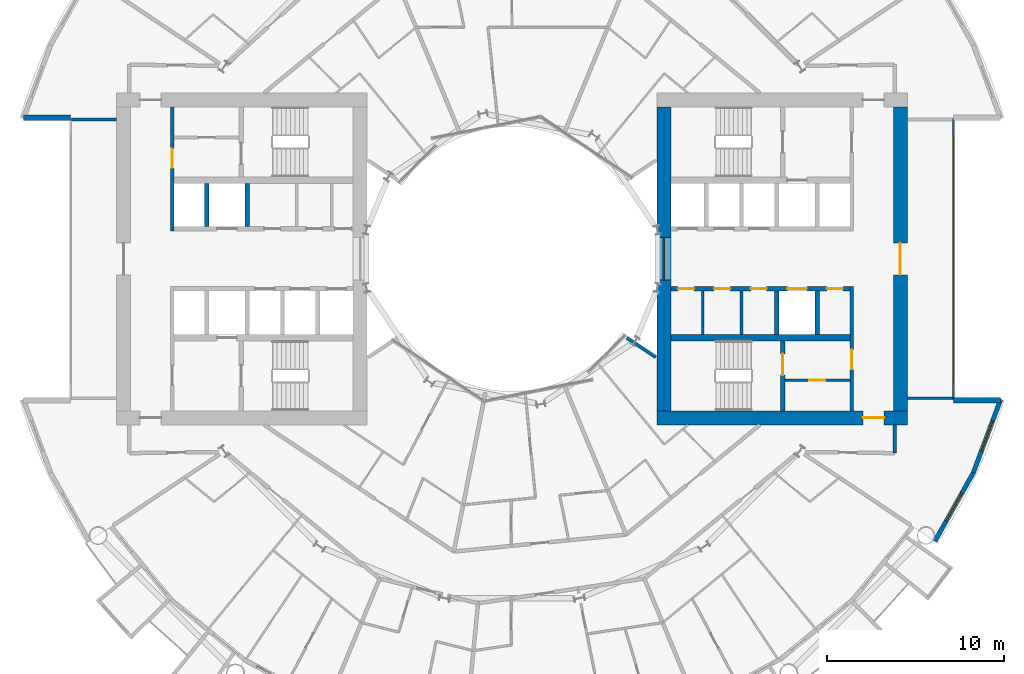
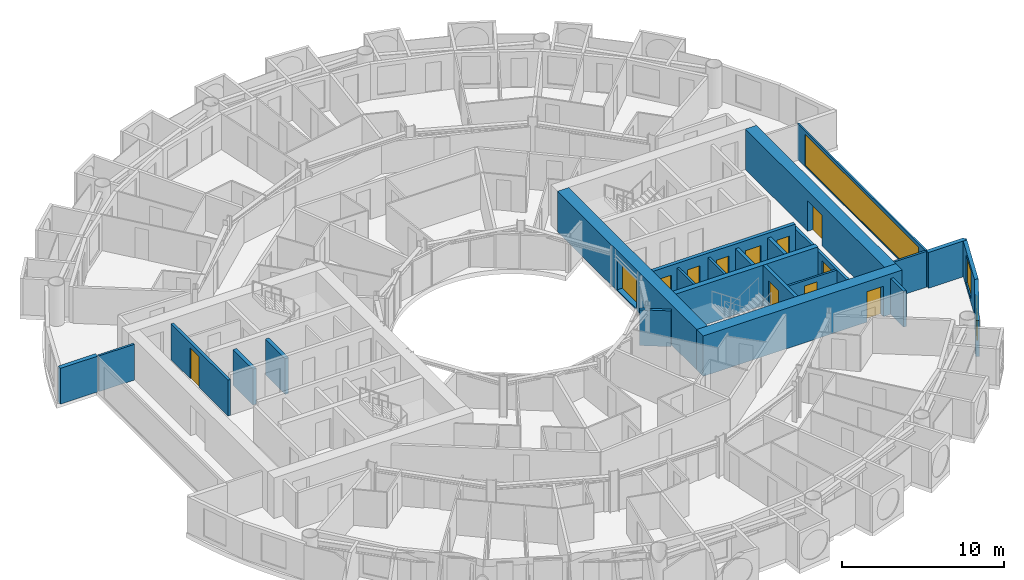
# One storey, part 17 of 26: 24 walls, 11 doors, 4 windows, 15 openings.
"""IFC4 building model written with IfcOpenShell, lengths in metres."""

import ifcopenshell
import ifcopenshell.guid

model = None  # the IFC model being written
_history = None  # IfcOwnerHistory: only IFC2X3 demands one
_inside = {}  # id of a spatial element -> (the spatial element, [elements in it])
_under = {}  # id of a project, library or spatial element -> (it, [spatial elements below it])
_declared = {}  # id of a project -> (the project, [libraries it declares])
_typed = {}  # id of a type object -> (the type object, [elements of that type])
_made_of = {}  # id of a material, layer set ... -> (it, [elements and type objects made of it])


def new_model(schema):
    """Start an empty IFC model of exactly this schema.

    Asked for "IFC4X3", IfcOpenShell would pick the latest addendum, in which some entities
    have other attributes; the version numbers below select the first issue.
    IFC2X3 requires an IfcOwnerHistory on every rooted entity: one is made here for all.
    """
    global model, _history
    if schema == "IFC4X3":
        model = ifcopenshell.file(schema_version=(4, 3, 0, 0))
    else:
        model = ifcopenshell.file(schema=schema)
    _inside.clear()
    _under.clear()
    _declared.clear()
    _typed.clear()
    _made_of.clear()
    _history = None
    if model.schema == "IFC2X3":
        org = make("IfcOrganization", Name="unknown")
        user = make(
            "IfcPersonAndOrganization",
            ThePerson=make("IfcPerson", FamilyName="unknown"),
            TheOrganization=org,
        )
        app = make(
            "IfcApplication",
            ApplicationDeveloper=org,
            Version="unknown",
            ApplicationFullName="unknown",
            ApplicationIdentifier="unknown",
        )
        _history = make(
            "IfcOwnerHistory",
            OwningUser=user,
            OwningApplication=app,
            ChangeAction="ADDED",
            CreationDate=0,
        )
    return model


def make(cls, **values):
    """One entity of the class cls with the attributes given. An attribute that is None is left unset."""
    return model.create_entity(
        cls, **{name: value for name, value in values.items() if value is not None}
    )


def rooted(cls, **values):
    """An entity with a GlobalId (a new one), such as an element, a storey or a relation."""
    return make(cls, GlobalId=ifcopenshell.guid.new(), OwnerHistory=_history, **values)


def si_unit(unit_type, name, prefix=None):
    """IfcSIUnit, for example si_unit("LENGTHUNIT", "METRE", prefix="MILLI")."""
    return make("IfcSIUnit", UnitType=unit_type, Prefix=prefix, Name=name)


def assignment(units):
    """IfcUnitAssignment: the units of a project."""
    return None if units is None else make("IfcUnitAssignment", Units=units)


def point(xyz):
    """IfcCartesianPoint."""
    return None if xyz is None else make("IfcCartesianPoint", Coordinates=xyz)


def direction(xyz):
    """IfcDirection."""
    return None if xyz is None else make("IfcDirection", DirectionRatios=xyz)


def frame(location, z_axis=None, x_axis=None):
    """IfcAxis2Placement3D, a coordinate frame: its origin and axes. An axis left out is left unset."""
    return make(
        "IfcAxis2Placement3D",
        Location=point(location),
        Axis=direction(z_axis),
        RefDirection=direction(x_axis),
    )


def frame_2d(location, x_axis=None):
    """IfcAxis2Placement2D, a coordinate frame in the plane: its origin and x axis."""
    return make(
        "IfcAxis2Placement2D", Location=point(location), RefDirection=direction(x_axis)
    )


def origin():
    """The frame at (0, 0, 0) with its axes left unset."""
    return frame((0.0, 0.0, 0.0))


def place(relative_to, where):
    """IfcLocalPlacement: puts the frame where relative to a parent placement (None: the world)."""
    return make(
        "IfcLocalPlacement", PlacementRelTo=relative_to, RelativePlacement=where
    )


def context(
    kind, dimensions, precision=None, world=None, true_north=None, identifier=None
):
    """IfcGeometricRepresentationContext, for example the 3D "Model" context."""
    return make(
        "IfcGeometricRepresentationContext",
        ContextIdentifier=identifier,
        ContextType=kind,
        CoordinateSpaceDimension=dimensions,
        Precision=precision,
        WorldCoordinateSystem=world,
        TrueNorth=true_north,
    )


def subcontext(parent, identifier, kind, view, scale=None):
    """IfcGeometricRepresentationSubContext, for example "Body" below "Model"."""
    return make(
        "IfcGeometricRepresentationSubContext",
        ContextIdentifier=identifier,
        ContextType=kind,
        ParentContext=parent,
        TargetScale=scale,
        TargetView=view,
    )


def project(units=None, contexts=None):
    """IfcProject with its units and contexts."""
    return rooted(
        "IfcProject",
        Name="project",
        RepresentationContexts=contexts,
        UnitsInContext=assignment(units),
    )


def spatial(cls, under=None, at=None, **own):
    """A site, building, storey or space (cls), placed at a placement, below another one or the project."""
    s = rooted(cls, ObjectPlacement=at, **own)
    if under is not None:
        _under.setdefault(under.id(), (under, []))[1].append(s)
    return s


def profile(cls, at=None, kind="AREA", **sizes):
    """A parametric profile (cls). Its sizes go by their IFC names, for example OverallWidth=200.0."""
    return make(cls, ProfileType=kind, Position=at, **sizes)


def rectangle(**sizes):
    """IfcRectangleProfileDef."""
    return profile("IfcRectangleProfileDef", **sizes)


def extrude(swept, where, along, depth):
    """IfcExtrudedAreaSolid: the profile swept, set in the frame where, extruded along a direction by depth."""
    return make(
        "IfcExtrudedAreaSolid",
        SweptArea=swept,
        Position=where,
        ExtrudedDirection=direction(along),
        Depth=depth,
    )


def shape(context_of_items, identifier, shape_type, items):
    """IfcShapeRepresentation: the items that make up one representation, for example the "Body"."""
    return make(
        "IfcShapeRepresentation",
        ContextOfItems=context_of_items,
        RepresentationIdentifier=identifier,
        RepresentationType=shape_type,
        Items=items,
    )


def material(Name=None, Category=None):
    """IfcMaterial."""
    return make("IfcMaterial", Name=Name, Category=Category)


def layer(
    of_material, thickness, ventilated=None, Name=None, Category=None, Priority=None
):
    """IfcMaterialLayer: one layer of a wall or slab, of a material (None: an air gap)."""
    return make(
        "IfcMaterialLayer",
        Material=of_material,
        LayerThickness=thickness,
        IsVentilated=ventilated,
        Name=Name,
        Category=Category,
        Priority=Priority,
    )


def layer_set(layers, Name=None):
    """IfcMaterialLayerSet."""
    return make("IfcMaterialLayerSet", MaterialLayers=layers, LayerSetName=Name)


def made_of(thing, what):
    """Note that an element or type object is made of a material, layer set ...; save() writes the relation."""
    if what is not None:
        _made_of.setdefault(what.id(), (what, []))[1].append(thing)
    return thing


def type_object(cls, material=None, **own):
    """A type object (cls), such as IfcWallType, which elements share."""
    return made_of(rooted(cls, **own), material)


def element(
    cls,
    number,
    at=None,
    inside=None,
    cuts=None,
    type_object=None,
    material=None,
    context=None,
    identifier="Body",
    shape_type=None,
    held_by="IfcProductDefinitionShape",
    body=None,
    shapes=None,
    **own,
):
    """One element of the class cls, such as IfcWall. Its Tag is "e" and its number.

    at: its placement. inside: the storey or other place that contains it. cuts: it is an
    opening in that element (IfcRelVoidsElement). A single representation is given by context,
    identifier, shape_type and body (its items); several are given by shapes. held_by: the class
    of the entity that holds the representations. save() writes the other relations.
    """
    e = rooted(cls, Tag="e%d" % number, ObjectPlacement=at, **own)
    if body is not None:
        shapes = [shape(context, identifier, shape_type, body)]
    if shapes is not None:
        e.Representation = make(held_by, Representations=shapes)
    if inside is not None:
        _inside.setdefault(inside.id(), (inside, []))[1].append(e)
    if cuts is not None:
        rooted(
            "IfcRelVoidsElement", RelatingBuildingElement=cuts, RelatedOpeningElement=e
        )
    if type_object is not None:
        _typed.setdefault(type_object.id(), (type_object, []))[1].append(e)
    return made_of(e, material)


def fill(opening, filler):
    """IfcRelFillsElement: the door or window that sits in an opening."""
    return rooted(
        "IfcRelFillsElement",
        RelatingOpeningElement=opening,
        RelatedBuildingElement=filler,
    )


def aggregate(whole, parts):
    """IfcRelAggregates: a whole, such as a stair, and the parts it consists of."""
    return rooted("IfcRelAggregates", RelatingObject=whole, RelatedObjects=parts)


def save(model, path):
    """Write the relations noted so far, then the file.

    IfcRelAggregates (storeys below a building ...), IfcRelContainedInSpatialStructure (elements
    in a storey), IfcRelDefinesByType, IfcRelAssociatesMaterial and IfcRelDeclares: one each for
    every whole, place, type object, material and project.
    """
    for whole, parts in _under.values():
        aggregate(whole, parts)
    for where, things in _inside.values():
        rooted(
            "IfcRelContainedInSpatialStructure",
            RelatedElements=things,
            RelatingStructure=where,
        )
    for kind, things in _typed.values():
        rooted("IfcRelDefinesByType", RelatedObjects=things, RelatingType=kind)
    for what, things in _made_of.values():
        rooted("IfcRelAssociatesMaterial", RelatedObjects=things, RelatingMaterial=what)
    for by, libraries in _declared.values():
        rooted("IfcRelDeclares", RelatingContext=by, RelatedDefinitions=libraries)
    model.write(path)


model = new_model("IFC4")

# Units and contexts
model_context = context("Model", 3, precision=1e-05, world=origin(), true_north=direction((0.0, 1.0)))
body_context = subcontext(model_context, "Body", "Model", "MODEL_VIEW")
ifc_project = project(units=[si_unit("LENGTHUNIT", "METRE"), si_unit("AREAUNIT", "SQUARE_METRE"), si_unit("VOLUMEUNIT", "CUBIC_METRE"), si_unit("PLANEANGLEUNIT", "RADIAN"), si_unit("MASSUNIT", "GRAM", prefix="KILO")], contexts=[model_context])

# Site, building, storey
site_placement = place(None, origin())
site = spatial("IfcSite", under=ifc_project, at=site_placement, CompositionType="ELEMENT")
building_placement = place(site_placement, origin())
building = spatial("IfcBuilding", under=site, at=building_placement, Name="Maasbend Ring Residences", CompositionType="ELEMENT")
storey_placement = place(building_placement, frame((0.0, 0.0, 35.0)))
storey = spatial("IfcBuildingStorey", under=building, at=storey_placement, Name="L09", CompositionType="ELEMENT", Elevation=35.0)

# Wall, openings, doors
ifc_material_1 = material(Name="Concrete C70/85", Category="concrete")
ifc_layer_1 = layer(ifc_material_1, 0.25)
ifc_layer_set_1 = layer_set([ifc_layer_1], Name="Concrete C70/85")
wall_type_1 = type_object("IfcWallType", Name="CORE WALL 250 C70/85", PredefinedType="SHEAR", material=ifc_layer_set_1)
wall_1_placement = place(storey_placement, frame((19.14990234375, -1.699951171875, 0.0), z_axis=(0.0, 0.0, 1.0), x_axis=(-1.0, 0.0, 0.0)))
wall_1 = element("IfcWall", 1, at=wall_1_placement, inside=storey, type_object=wall_type_1, Name="L09 core E wall SPS", PredefinedType="SHEAR", context=body_context, shape_type="SweptSolid", body=[
    extrude(rectangle(XDim=10.14990234375, YDim=0.25, at=frame_2d((5.074951171875, 0.0))), origin(), (0.0, 0.0, 1.0), 3.050048828125),
])
opening_1_placement = place(wall_1_placement, frame((2.449951171875, 0.0, 0.0)))
opening_1 = element("IfcOpeningElement", 2, at=opening_1_placement, cuts=wall_1, Name="Opening LD-E0905", PredefinedType="OPENING", context=body_context, shape_type="SweptSolid", body=[
    extrude(rectangle(XDim=1.10009765625, YDim=2.300048828125, at=frame_2d((0.550048828125, 1.14990234375))), frame((0.0, 0.135009765625, 0.0), z_axis=(0.0, -1.0, 0.0), x_axis=(1.0, 0.0, 0.0)), (0.0, 0.0, 1.0), 0.27001953125),
])
opening_2_placement = place(wall_1_placement, frame((8.83740234375, 0.0, 0.0)))
opening_2 = element("IfcOpeningElement", 3, at=opening_2_placement, cuts=wall_1, Name="Opening D-E0906", PredefinedType="OPENING", context=body_context, shape_type="SweptSolid", body=[
    extrude(rectangle(XDim=0.89990234375, YDim=2.300048828125, at=frame_2d((0.449951171875, 1.14990234375))), frame((0.0, 0.135009765625, 0.0), z_axis=(0.0, -1.0, 0.0), x_axis=(1.0, 0.0, 0.0)), (0.0, 0.0, 1.0), 0.27001953125),
])
opening_3_placement = place(wall_1_placement, frame((6.800048828125, 0.0, 0.0)))
opening_3 = element("IfcOpeningElement", 4, at=opening_3_placement, cuts=wall_1, Name="Opening D-E0907", PredefinedType="OPENING", context=body_context, shape_type="SweptSolid", body=[
    extrude(rectangle(XDim=0.89990234375, YDim=2.300048828125, at=frame_2d((0.449951171875, 1.14990234375))), frame((0.0, 0.135009765625, 0.0), z_axis=(0.0, -1.0, 0.0), x_axis=(1.0, 0.0, 0.0)), (0.0, 0.0, 1.0), 0.27001953125),
])
opening_4_placement = place(wall_1_placement, frame((4.72509765625, 0.0, 0.0)))
opening_4 = element("IfcOpeningElement", 5, at=opening_4_placement, cuts=wall_1, Name="Opening D-E0908", PredefinedType="OPENING", context=body_context, shape_type="SweptSolid", body=[
    extrude(rectangle(XDim=0.89990234375, YDim=2.300048828125, at=frame_2d((0.449951171875, 1.14990234375))), frame((0.0, 0.135009765625, 0.0), z_axis=(0.0, -1.0, 0.0), x_axis=(1.0, 0.0, 0.0)), (0.0, 0.0, 1.0), 0.27001953125),
])
opening_5_placement = place(wall_1_placement, frame((0.41259765625, 0.0, 0.0)))
opening_5 = element("IfcOpeningElement", 6, at=opening_5_placement, cuts=wall_1, Name="Opening D-E0909", PredefinedType="OPENING", context=body_context, shape_type="SweptSolid", body=[
    extrude(rectangle(XDim=0.89990234375, YDim=2.300048828125, at=frame_2d((0.449951171875, 1.14990234375))), frame((0.0, 0.135009765625, 0.0), z_axis=(0.0, -1.0, 0.0), x_axis=(1.0, 0.0, 0.0)), (0.0, 0.0, 1.0), 0.27001953125),
])
ifc_material_2 = material(Name="Stainless steel 316", Category="steel")
door_type_1 = type_object("IfcDoorType", Name="LANDING DOOR 1100 X 2300 FD60", OperationType="DOUBLE_DOOR_SLIDING", PredefinedType="DOOR", material=ifc_material_2)
door_1_placement = place(opening_1_placement, origin())
door_1 = element("IfcDoor", 7, at=door_1_placement, inside=storey, type_object=door_type_1, Name="Landing door SV-E L09", OperationType="DOUBLE_DOOR_SLIDING", OverallHeight=2.300048828125, OverallWidth=1.10009765625, PredefinedType="DOOR", context=body_context, shape_type="SweptSolid", body=[
    extrude(rectangle(XDim=1.10009765625, YDim=2.300048828125, at=frame_2d((0.550048828125, 1.14990234375))), frame((0.0, 0.02490234375, 0.0), z_axis=(0.0, -1.0, 0.0), x_axis=(1.0, 0.0, 0.0)), (0.0, 0.0, 1.0), 0.050048828125),
])
fill(opening_1, door_1)
ifc_material_3 = material(Name="Steel, powder coated", Category="steel")
door_type_2 = type_object("IfcDoorType", Name="ROOM DOOR 900 X 2300 FD30S", OperationType="NOTDEFINED", PredefinedType="DOOR", material=ifc_material_3)
door_2_placement = place(opening_2_placement, origin())
door_2 = element("IfcDoor", 8, at=door_2_placement, inside=storey, type_object=door_type_2, Name="Room door L09", OperationType="SINGLE_SWING_LEFT", OverallHeight=2.300048828125, OverallWidth=0.89990234375, PredefinedType="DOOR", context=body_context, shape_type="SweptSolid", body=[
    extrude(rectangle(XDim=0.89990234375, YDim=2.300048828125, at=frame_2d((0.449951171875, 1.14990234375))), frame((0.0, 0.02490234375, 0.0), z_axis=(0.0, -1.0, 0.0), x_axis=(1.0, 0.0, 0.0)), (0.0, 0.0, 1.0), 0.050048828125),
])
fill(opening_2, door_2)
door_3_placement = place(opening_3_placement, origin())
door_3 = element("IfcDoor", 9, at=door_3_placement, inside=storey, type_object=door_type_2, Name="Room door L09", OperationType="SINGLE_SWING_LEFT", OverallHeight=2.300048828125, OverallWidth=0.89990234375, PredefinedType="DOOR", context=body_context, shape_type="SweptSolid", body=[
    extrude(rectangle(XDim=0.89990234375, YDim=2.300048828125, at=frame_2d((0.449951171875, 1.14990234375))), frame((0.0, 0.02490234375, 0.0), z_axis=(0.0, -1.0, 0.0), x_axis=(1.0, 0.0, 0.0)), (0.0, 0.0, 1.0), 0.050048828125),
])
fill(opening_3, door_3)
door_4_placement = place(opening_4_placement, origin())
door_4 = element("IfcDoor", 10, at=door_4_placement, inside=storey, type_object=door_type_2, Name="Room door L09", OperationType="SINGLE_SWING_LEFT", OverallHeight=2.300048828125, OverallWidth=0.89990234375, PredefinedType="DOOR", context=body_context, shape_type="SweptSolid", body=[
    extrude(rectangle(XDim=0.89990234375, YDim=2.300048828125, at=frame_2d((0.449951171875, 1.14990234375))), frame((0.0, 0.02490234375, 0.0), z_axis=(0.0, -1.0, 0.0), x_axis=(1.0, 0.0, 0.0)), (0.0, 0.0, 1.0), 0.050048828125),
])
fill(opening_4, door_4)
door_5_placement = place(opening_5_placement, origin())
door_5 = element("IfcDoor", 11, at=door_5_placement, inside=storey, type_object=door_type_2, Name="Room door L09", OperationType="SINGLE_SWING_RIGHT", OverallHeight=2.300048828125, OverallWidth=0.89990234375, PredefinedType="DOOR", context=body_context, shape_type="SweptSolid", body=[
    extrude(rectangle(XDim=0.89990234375, YDim=2.300048828125, at=frame_2d((0.449951171875, 1.14990234375))), frame((0.0, 0.02490234375, 0.0), z_axis=(0.0, -1.0, 0.0), x_axis=(1.0, 0.0, 0.0)), (0.0, 0.0, 1.0), 0.050048828125),
])
fill(opening_5, door_5)

# Wall, opening, door
wall_2_placement = place(storey_placement, frame((15.324951171875, -8.60009765625, 0.0), z_axis=(0.0, 0.0, 1.0), x_axis=(0.0, 1.0, 0.0)))
wall_2 = element("IfcWall", 12, at=wall_2_placement, inside=storey, type_object=wall_type_1, Name="L09 core E wall STES", PredefinedType="SHEAR", context=body_context, shape_type="SweptSolid", body=[
    extrude(rectangle(XDim=3.9501953125, YDim=0.25, at=frame_2d((1.97509765625, 0.0))), origin(), (0.0, 0.0, 1.0), 3.050048828125),
])
opening_6_placement = place(wall_2_placement, frame((2.02490234375, 0.0, 0.0)))
opening_6 = element("IfcOpeningElement", 13, at=opening_6_placement, cuts=wall_2, Name="Opening D-E0912", PredefinedType="OPENING", context=body_context, shape_type="SweptSolid", body=[
    extrude(rectangle(XDim=1.199951171875, YDim=2.300048828125, at=frame_2d((0.60009765625, 1.14990234375))), frame((0.0, 0.135009765625, 0.0), z_axis=(0.0, -1.0, 0.0), x_axis=(1.0, 0.0, 0.0)), (0.0, 0.0, 1.0), 0.27001953125),
])
ifc_material_4 = material(Name="Steel, powder coated", Category="steel")
door_type_3 = type_object("IfcDoorType", Name="STAIR DOOR 1200 X 2300 FD60", OperationType="NOTDEFINED", PredefinedType="DOOR", material=ifc_material_4)
door_6_placement = place(opening_6_placement, origin())
door_6 = element("IfcDoor", 14, at=door_6_placement, inside=storey, type_object=door_type_3, Name="Stair door ST-E L09", OperationType="SINGLE_SWING_LEFT", OverallHeight=2.300048828125, OverallWidth=1.199951171875, PredefinedType="DOOR", context=body_context, shape_type="SweptSolid", body=[
    extrude(rectangle(XDim=1.199951171875, YDim=2.300048828125, at=frame_2d((0.60009765625, 1.14990234375))), frame((0.0, 0.02490234375, 0.0), z_axis=(0.0, -1.0, 0.0), x_axis=(1.0, 0.0, 0.0)), (0.0, 0.0, 1.0), 0.050048828125),
])
fill(opening_6, door_6)

# Wall
ifc_material_5 = material(Name="Concrete C70/85", Category="concrete")
ifc_layer_2 = layer(ifc_material_5, 0.375)
ifc_layer_set_2 = layer_set([ifc_layer_2], Name="Concrete C70/85")
wall_type_2 = type_object("IfcWallType", Name="CORE WALL 375 C70/85", PredefinedType="SHEAR", material=ifc_layer_set_2)
wall_3_placement = place(storey_placement, frame((9.0, -4.46240234375, 0.0), z_axis=(0.0, 0.0, 1.0), x_axis=(1.0, 0.0, 0.0)))
element("IfcWall", 15, at=wall_3_placement, inside=storey, type_object=wall_type_2, Name="L09 core E wall BS", PredefinedType="SHEAR", context=body_context, shape_type="SweptSolid", body=[
    extrude(rectangle(XDim=10.14990234375, YDim=0.375, at=frame_2d((5.074951171875, 0.0))), origin(), (0.0, 0.0, 1.0), 3.050048828125),
])

# Wall, opening, door
ifc_material_6 = material(Name="Concrete C70/85", Category="concrete")
ifc_layer_3 = layer(ifc_material_6, 0.800048828125)
ifc_layer_set_3 = layer_set([ifc_layer_3], Name="Concrete C70/85")
wall_type_3 = type_object("IfcWallType", Name="CORE WALL 800 C70/85", PredefinedType="SHEAR", material=ifc_layer_set_3)
wall_4_placement = place(storey_placement, frame((8.199951171875, -9.0, 0.0), z_axis=(0.0, 0.0, 1.0), x_axis=(1.0, 0.0, 0.0)))
wall_4 = element("IfcWall", 16, at=wall_4_placement, inside=storey, type_object=wall_type_3, Name="L09 core E wall PS", PredefinedType="SHEAR", context=body_context, shape_type="SweptSolid", body=[
    extrude(rectangle(XDim=14.199951171875, YDim=0.800048828125, at=frame_2d((7.10009765625, 0.0))), origin(), (0.0, 0.0, 1.0), 3.050048828125),
])
opening_7_placement = place(wall_4_placement, frame((11.675048828125, 0.0, 0.0)))
opening_7 = element("IfcOpeningElement", 17, at=opening_7_placement, cuts=wall_4, Name="Opening D-E0916", PredefinedType="OPENING", context=body_context, shape_type="SweptSolid", body=[
    extrude(rectangle(XDim=1.199951171875, YDim=2.300048828125, at=frame_2d((0.60009765625, 1.14990234375))), frame((0.0, 0.41015625, 0.0), z_axis=(0.0, -1.0, 0.0), x_axis=(1.0, 0.0, 0.0)), (0.0, 0.0, 1.0), 0.820068359375),
])
ifc_material_7 = material(Name="Steel, powder coated", Category="steel")
door_type_4 = type_object("IfcDoorType", Name="CORRIDOR DOOR 1200 X 2300 FD30S", OperationType="NOTDEFINED", PredefinedType="DOOR", material=ifc_material_7)
door_7_placement = place(opening_7_placement, origin())
door_7 = element("IfcDoor", 18, at=door_7_placement, inside=storey, type_object=door_type_4, Name="Corridor door L09", OperationType="SINGLE_SWING_LEFT", OverallHeight=2.300048828125, OverallWidth=1.199951171875, PredefinedType="DOOR", context=body_context, shape_type="SweptSolid", body=[
    extrude(rectangle(XDim=1.199951171875, YDim=2.300048828125, at=frame_2d((0.60009765625, 1.14990234375))), frame((0.0, 0.02490234375, 0.0), z_axis=(0.0, -1.0, 0.0), x_axis=(1.0, 0.0, 0.0)), (0.0, 0.0, 1.0), 0.050048828125),
])
fill(opening_7, door_7)

wall_5_placement = place(storey_placement, frame((22.0, 8.60009765625, 0.0), z_axis=(0.0, 0.0, 1.0), x_axis=(0.0, -1.0, 0.0)))
wall_5 = element("IfcWall", 19, at=wall_5_placement, inside=storey, type_object=wall_type_3, Name="L09 core E wall POUT", PredefinedType="SHEAR", context=body_context, shape_type="SweptSolid", body=[
    extrude(rectangle(XDim=17.2001953125, YDim=0.800048828125, at=frame_2d((8.60009765625, 0.0))), origin(), (0.0, 0.0, 1.0), 3.050048828125),
])
opening_8_placement = place(wall_5_placement, frame((7.699951171875, 0.0, 0.0)))
opening_8 = element("IfcOpeningElement", 20, at=opening_8_placement, cuts=wall_5, Name="Opening D-E0917", PredefinedType="OPENING", context=body_context, shape_type="SweptSolid", body=[
    extrude(rectangle(XDim=1.800048828125, YDim=2.300048828125, at=frame_2d((0.89990234375, 1.14990234375))), frame((0.0, 0.41015625, 0.0), z_axis=(0.0, -1.0, 0.0), x_axis=(1.0, 0.0, 0.0)), (0.0, 0.0, 1.0), 0.820068359375),
])
ifc_material_8 = material(Name="Aluminium frame, clear glass", Category="aluminium")
door_type_5 = type_object("IfcDoorType", Name="ENTRANCE DOOR 1800 X 2300 FD60", OperationType="NOTDEFINED", PredefinedType="DOOR", material=ifc_material_8)
door_8_placement = place(opening_8_placement, origin())
door_8 = element("IfcDoor", 21, at=door_8_placement, inside=storey, type_object=door_type_5, Name="Lobby glazed door L09", OperationType="SINGLE_SWING_LEFT", OverallHeight=2.300048828125, OverallWidth=1.800048828125, PredefinedType="DOOR", context=body_context, shape_type="SweptSolid", body=[
    extrude(rectangle(XDim=1.800048828125, YDim=2.300048828125, at=frame_2d((0.89990234375, 1.14990234375))), frame((0.0, 0.02490234375, 0.0), z_axis=(0.0, -1.0, 0.0), x_axis=(1.0, 0.0, 0.0)), (0.0, 0.0, 1.0), 0.050048828125),
])
fill(opening_8, door_8)

# Wall, opening, window
wall_6_placement = place(storey_placement, frame((8.60009765625, -8.60009765625, 0.0), z_axis=(0.0, 0.0, 1.0), x_axis=(0.0, 1.0, 0.0)))
wall_6 = element("IfcWall", 22, at=wall_6_placement, inside=storey, type_object=wall_type_3, Name="L09 core E wall PIN", PredefinedType="SHEAR", context=body_context, shape_type="SweptSolid", body=[
    extrude(rectangle(XDim=17.2001953125, YDim=0.800048828125, at=frame_2d((8.60009765625, 0.0))), origin(), (0.0, 0.0, 1.0), 3.050048828125),
])
opening_9_placement = place(wall_6_placement, frame((7.39990234375, 0.0, 0.10009765625)))
opening_9 = element("IfcOpeningElement", 23, at=opening_9_placement, cuts=wall_6, Name="Opening W-E0901", PredefinedType="OPENING", context=body_context, shape_type="SweptSolid", body=[
    extrude(rectangle(XDim=2.39990234375, YDim=2.199951171875, at=frame_2d((1.199951171875, 1.10009765625))), frame((0.0, 0.41015625, 0.0), z_axis=(0.0, -1.0, 0.0), x_axis=(1.0, 0.0, 0.0)), (0.0, 0.0, 1.0), 0.820068359375),
])
ifc_material_9 = material(Name="Aluminium frame and clear glass", Category="aluminium")
window_type_1 = type_object("IfcWindowType", Name="FIXED WINDOW 2400 X 2200", PartitioningType="SINGLE_PANEL", PredefinedType="WINDOW", material=ifc_material_9)
window_1_placement = place(opening_9_placement, origin())
window_1 = element("IfcWindow", 24, at=window_1_placement, inside=storey, type_object=window_type_1, Name="Lobby window L09", OverallHeight=2.199951171875, OverallWidth=2.39990234375, PartitioningType="SINGLE_PANEL", PredefinedType="WINDOW", context=body_context, shape_type="SweptSolid", body=[
    extrude(rectangle(XDim=2.39990234375, YDim=2.199951171875, at=frame_2d((1.199951171875, 1.10009765625))), frame((0.0, 0.030029296875, 0.0), z_axis=(0.0, -1.0, 0.0), x_axis=(1.0, 0.0, 0.0)), (0.0, 0.0, 1.0), 0.06005859375),
])
fill(opening_9, window_1)

# Wall
ifc_material_10 = material(Name="Concrete C30/37", Category="concrete")
ifc_layer_4 = layer(ifc_material_10, 0.199951171875)
ifc_layer_set_4 = layer_set([ifc_layer_4], Name="Concrete C30/37")
wall_type_4 = type_object("IfcWallType", Name="CORRIDOR WALL 200 CONCRETE", PredefinedType="PARTITIONING", material=ifc_layer_set_4)
wall_7_placement = place(storey_placement, frame((21.675048828125, -11.0, 0.0), z_axis=(0.0, 0.0, 1.0), x_axis=(0.0, 1.0, 0.0)))
element("IfcWall", 25, at=wall_7_placement, inside=storey, type_object=wall_type_4, Name="U-L09-w003", PredefinedType="PARTITIONING", context=body_context, shape_type="SweptSolid", body=[
    extrude(rectangle(XDim=1.60009765625, YDim=0.199951171875, at=frame_2d((0.800048828125, 0.0))), origin(), (0.0, 0.0, 1.0), 2.699951171875),
])

# Wall, opening, window
ifc_material_11 = material(Name="Aluminium clad insulated panel", Category="aluminium")
ifc_layer_5 = layer(ifc_material_11, 0.25)
ifc_layer_set_5 = layer_set([ifc_layer_5], Name="EW-HORN")
wall_type_5 = type_object("IfcWallType", Name="EW-HORN", PredefinedType="SOLIDWALL", material=ifc_layer_set_5)
wall_8_placement = place(storey_placement, frame((23.946044921875, -16.0, 0.0), z_axis=(0.0, 0.0, 1.0), x_axis=(0.489696356642, 0.871893042919, 0.0)))
wall_8 = element("IfcWall", 26, at=wall_8_placement, inside=storey, type_object=wall_type_5, Name="Horn wall 2.1", PredefinedType="SOLIDWALL", context=body_context, shape_type="SweptSolid", body=[
    extrude(rectangle(XDim=4.45361328125, YDim=0.25, at=frame_2d((2.226806640625, 0.0))), origin(), (0.0, 0.0, 1.0), 2.699951171875),
])
opening_10_placement = place(wall_8_placement, frame((1.32666015625, 0.0, 0.300048828125)))
opening_10 = element("IfcOpeningElement", 27, at=opening_10_placement, cuts=wall_8, Name="Opening W-BX", PredefinedType="OPENING", context=body_context, shape_type="SweptSolid", body=[
    extrude(rectangle(XDim=1.800048828125, YDim=2.10009765625, at=frame_2d((0.89990234375, 1.050048828125))), frame((0.0, 0.135009765625, 0.0), z_axis=(0.0, -1.0, 0.0), x_axis=(1.0, 0.0, 0.0)), (0.0, 0.0, 1.0), 0.27001953125),
])
ifc_material_12 = material(Name="Aluminium and clear glass", Category="aluminium")
window_type_2 = type_object("IfcWindowType", Name="W-BX", PartitioningType="DOUBLE_PANEL_VERTICAL", PredefinedType="WINDOW", material=ifc_material_12)
window_2_placement = place(opening_10_placement, origin())
window_2 = element("IfcWindow", 28, at=window_2_placement, inside=storey, type_object=window_type_2, Name="Horn window 2.1", OverallHeight=2.10009765625, OverallWidth=1.800048828125, PartitioningType="SINGLE_PANEL", PredefinedType="WINDOW", context=body_context, shape_type="SweptSolid", body=[
    extrude(rectangle(XDim=1.800048828125, YDim=2.10009765625, at=frame_2d((0.89990234375, 1.050048828125))), frame((0.0, 0.030029296875, 0.0), z_axis=(0.0, -1.0, 0.0), x_axis=(1.0, 0.0, 0.0)), (0.0, 0.0, 1.0), 0.06005859375),
])
fill(opening_10, window_2)

wall_9_placement = place(storey_placement, frame((26.126953125, -12.116943359375, 0.0), z_axis=(0.0, 0.0, 1.0), x_axis=(0.349247811493, 0.937030397675, 0.0)))
wall_9 = element("IfcWall", 29, at=wall_9_placement, inside=storey, type_object=wall_type_5, Name="Horn wall 2.2", PredefinedType="SOLIDWALL", context=body_context, shape_type="SweptSolid", body=[
    extrude(rectangle(XDim=4.4521484375, YDim=0.25, at=frame_2d((2.22607421875, 0.0))), origin(), (0.0, 0.0, 1.0), 2.699951171875),
])
opening_11_placement = place(wall_9_placement, frame((1.32666015625, 0.0, 0.300048828125)))
opening_11 = element("IfcOpeningElement", 30, at=opening_11_placement, cuts=wall_9, Name="Opening W-BX", PredefinedType="OPENING", context=body_context, shape_type="SweptSolid", body=[
    extrude(rectangle(XDim=1.800048828125, YDim=2.10009765625, at=frame_2d((0.89990234375, 1.050048828125))), frame((0.0, 0.135009765625, 0.0), z_axis=(0.0, -1.0, 0.0), x_axis=(1.0, 0.0, 0.0)), (0.0, 0.0, 1.0), 0.27001953125),
])
window_3_placement = place(opening_11_placement, origin())
window_3 = element("IfcWindow", 31, at=window_3_placement, inside=storey, type_object=window_type_2, Name="Horn window 2.2", OverallHeight=2.10009765625, OverallWidth=1.800048828125, PartitioningType="SINGLE_PANEL", PredefinedType="WINDOW", context=body_context, shape_type="SweptSolid", body=[
    extrude(rectangle(XDim=1.800048828125, YDim=2.10009765625, at=frame_2d((0.89990234375, 1.050048828125))), frame((0.0, 0.030029296875, 0.0), z_axis=(0.0, -1.0, 0.0), x_axis=(1.0, 0.0, 0.0)), (0.0, 0.0, 1.0), 0.06005859375),
])
fill(opening_11, window_3)

# Walls
ifc_material_13 = material(Name="Aluminium clad insulated panel", Category="aluminium")
ifc_layer_6 = layer(ifc_material_13, 0.300048828125)
ifc_layer_set_6 = layer_set([ifc_layer_6], Name="EW-RET")
wall_type_6 = type_object("IfcWallType", Name="EW-RET", PredefinedType="SOLIDWALL", material=ifc_layer_set_6)
for number, where, z_axis, x_axis, name in (
    (32, (25.0, -8.0, 0.0), (0.0, 0.0, 1.0), (1.0, 0.0, 0.0), "Notch return wall east south"),
    (33, (-25.0, 8.0, 0.0), (0.0, 0.0, 1.0), (-1.0, 0.0, 0.0), "Notch return wall west north"),
):
    element("IfcWall", number, at=place(storey_placement, frame(where, z_axis=z_axis, x_axis=x_axis)), inside=storey, type_object=wall_type_6, Name=name, PredefinedType="SOLIDWALL", context=body_context, shape_type="SweptSolid", body=[
        extrude(rectangle(XDim=2.6669921875, YDim=0.300048828125, at=frame_2d((1.33349609375, 0.0))), origin(), (0.0, 0.0, 1.0), 2.699951171875),
    ])

# Wall, opening, window
ifc_material_14 = material(Name="Aluminium frame and clear glass", Category="aluminium")
ifc_layer_7 = layer(ifc_material_14, 0.1201171875)
ifc_layer_set_7 = layer_set([ifc_layer_7], Name="GLAZED SCREEN WALL 120 EI 60")
wall_type_7 = type_object("IfcWallType", Name="GLAZED SCREEN WALL 120 EI 60", PredefinedType="PARTITIONING", material=ifc_layer_set_7)
wall_10_placement = place(storey_placement, frame((25.0, -7.949951171875, 0.0), z_axis=(0.0, 0.0, 1.0), x_axis=(0.0, 1.0, 0.0)))
wall_10 = element("IfcWall", 34, at=wall_10_placement, inside=storey, type_object=wall_type_7, Name="L09 core E wall FACE", PredefinedType="PARTITIONING", context=body_context, shape_type="SweptSolid", body=[
    extrude(rectangle(XDim=15.89990234375, YDim=0.1201171875, at=frame_2d((7.949951171875, 0.0))), origin(), (0.0, 0.0, 1.0), 2.699951171875),
])
opening_12_placement = place(wall_10_placement, frame((0.949951171875, 0.0, 0.10009765625)))
opening_12 = element("IfcOpeningElement", 35, at=opening_12_placement, cuts=wall_10, Name="Opening W-E0902", PredefinedType="OPENING", context=body_context, shape_type="SweptSolid", body=[
    extrude(rectangle(XDim=14.0, YDim=2.35009765625, at=frame_2d((7.0, 1.175048828125))), frame((0.0, 0.070068359375, 0.0), z_axis=(0.0, -1.0, 0.0), x_axis=(1.0, 0.0, 0.0)), (0.0, 0.0, 1.0), 0.14013671875),
])
ifc_material_15 = material(Name="Aluminium frame and clear glass", Category="aluminium")
window_type_3 = type_object("IfcWindowType", Name="FIXED WINDOW 14000 X 2350", PartitioningType="SINGLE_PANEL", PredefinedType="WINDOW", material=ifc_material_15)
window_4_placement = place(opening_12_placement, origin())
window_4 = element("IfcWindow", 36, at=window_4_placement, inside=storey, type_object=window_type_3, Name="Lobby window L09", OverallHeight=2.35009765625, OverallWidth=14.0, PartitioningType="SINGLE_PANEL", PredefinedType="WINDOW", context=body_context, shape_type="SweptSolid", body=[
    extrude(rectangle(XDim=14.0, YDim=2.35009765625, at=frame_2d((7.0, 1.175048828125))), frame((0.0, 0.030029296875, 0.0), z_axis=(0.0, -1.0, 0.0), x_axis=(1.0, 0.0, 0.0)), (0.0, 0.0, 1.0), 0.06005859375),
])
fill(opening_12, window_4)

# Walls
ifc_material_16 = material(Name="Gypsum board on steel studs", Category="steel")
ifc_layer_8 = layer(ifc_material_16, 0.14990234375)
ifc_layer_set_8 = layer_set([ifc_layer_8], Name="PARTITION 150 EI 60")
wall_type_8 = type_object("IfcWallType", Name="PARTITION 150 EI 60", PredefinedType="PARTITIONING", material=ifc_layer_set_8)
for number, where, z_axis, x_axis, name in (
    (37, (10.800048828125, -1.824951171875, 0.0), (0.0, 0.0, 1.0), (0.0, -1.0, 0.0), "L09 core E wall PRS1080"),
    (38, (13.0, -1.824951171875, 0.0), (0.0, 0.0, 1.0), (0.0, -1.0, 0.0), "L09 core E wall PRS1300"),
):
    element("IfcWall", number, at=place(storey_placement, frame(where, z_axis=z_axis, x_axis=x_axis)), inside=storey, type_object=wall_type_8, Name=name, PredefinedType="PARTITIONING", context=body_context, shape_type="SweptSolid", body=[
        extrude(rectangle(XDim=2.449951171875, YDim=0.14990234375, at=frame_2d((1.22509765625, 0.0))), origin(), (0.0, 0.0, 1.0), 2.699951171875),
    ])

# Wall, opening, door
wall_11_placement = place(storey_placement, frame((15.449951171875, -6.875, 0.0), z_axis=(0.0, 0.0, 1.0), x_axis=(1.0, 0.0, 0.0)))
wall_11 = element("IfcWall", 39, at=wall_11_placement, inside=storey, type_object=wall_type_8, Name="L09 core E wall RHS", PredefinedType="PARTITIONING", context=body_context, shape_type="SweptSolid", body=[
    extrude(rectangle(XDim=3.699951171875, YDim=0.14990234375, at=frame_2d((1.85009765625, 0.0))), origin(), (0.0, 0.0, 1.0), 2.699951171875),
])
opening_13_placement = place(wall_11_placement, frame((1.39990234375, 0.0, 0.0)))
opening_13 = element("IfcOpeningElement", 40, at=opening_13_placement, cuts=wall_11, Name="Opening D-E0910", PredefinedType="OPENING", context=body_context, shape_type="SweptSolid", body=[
    extrude(rectangle(XDim=0.89990234375, YDim=2.300048828125, at=frame_2d((0.449951171875, 1.14990234375))), frame((0.0, 0.0849609375, 0.0), z_axis=(0.0, -1.0, 0.0), x_axis=(1.0, 0.0, 0.0)), (0.0, 0.0, 1.0), 0.169921875),
])
ifc_material_17 = material(Name="Steel, powder coated", Category="steel")
door_type_6 = type_object("IfcDoorType", Name="RISER DOOR 900 X 2300 FD60", OperationType="NOTDEFINED", PredefinedType="DOOR", material=ifc_material_17)
door_9_placement = place(opening_13_placement, origin())
door_9 = element("IfcDoor", 41, at=door_9_placement, inside=storey, type_object=door_type_6, Name="Riser door L09", OperationType="SINGLE_SWING_LEFT", OverallHeight=2.300048828125, OverallWidth=0.89990234375, PredefinedType="DOOR", context=body_context, shape_type="SweptSolid", body=[
    extrude(rectangle(XDim=0.89990234375, YDim=2.300048828125, at=frame_2d((0.449951171875, 1.14990234375))), frame((0.0, 0.02490234375, 0.0), z_axis=(0.0, -1.0, 0.0), x_axis=(1.0, 0.0, 0.0)), (0.0, 0.0, 1.0), 0.050048828125),
])
fill(opening_13, door_9)

# Walls
for number, where, z_axis, x_axis, name in (
    (42, (22.39990234375, -7.89990234375, 0.0), (0.0, 0.0, 1.0), (1.0, 0.0, 0.0), "L09 core E wall CITS"),
    (43, (-22.39990234375, 7.89990234375, 0.0), (0.0, 0.0, 1.0), (-1.0, 0.0, 0.0), "L09 core W wall CITS"),
):
    element("IfcWall", number, at=place(storey_placement, frame(where, z_axis=z_axis, x_axis=x_axis)), inside=storey, type_object=wall_type_8, Name=name, PredefinedType="PARTITIONING", context=body_context, shape_type="SweptSolid", body=[
        extrude(rectangle(XDim=2.5400390625, YDim=0.14990234375, at=frame_2d((1.27001953125, 0.0))), origin(), (0.0, 0.0, 1.0), 2.699951171875),
    ])
ifc_material_18 = material(Name="Concrete C30/37", Category="concrete")
ifc_layer_9 = layer(ifc_material_18, 0.199951171875)
ifc_layer_set_9 = layer_set([ifc_layer_9], Name="Concrete C30/37")
wall_type_9 = type_object("IfcWallType", Name="PARTY WALL 200 CONCRETE", PredefinedType="PARTITIONING", material=ifc_layer_set_9)
wall_12_placement = place(storey_placement, frame((6.512939453125, -4.471923828125, 0.0), z_axis=(0.0, 0.0, 1.0), x_axis=(0.831417956244, -0.555647533996, 0.0)))
element("IfcWall", 44, at=wall_12_placement, inside=storey, type_object=wall_type_9, Name="U-L09-w028", PredefinedType="PARTITIONING", context=body_context, shape_type="SweptSolid", body=[
    extrude(rectangle(XDim=1.9619140625, YDim=0.199951171875, at=frame_2d((0.98095703125, 0.0))), origin(), (0.0, 0.0, 1.0), 2.699951171875),
])

# Wall, opening, door
ifc_material_19 = material(Name="Concrete C30/37", Category="concrete")
ifc_layer_10 = layer(ifc_material_19, 0.199951171875)
ifc_layer_set_10 = layer_set([ifc_layer_10], Name="Concrete C30/37")
wall_type_10 = type_object("IfcWallType", Name="SHAFT WALL 200 EI 120", PredefinedType="SOLIDWALL", material=ifc_layer_set_10)
wall_13_placement = place(storey_placement, frame((19.25, -8.60009765625, 0.0), z_axis=(0.0, 0.0, 1.0), x_axis=(0.0, 1.0, 0.0)))
wall_13 = element("IfcWall", 45, at=wall_13_placement, inside=storey, type_object=wall_type_10, Name="L09 core E wall ENDS", PredefinedType="SOLIDWALL", context=body_context, shape_type="SweptSolid", body=[
    extrude(rectangle(XDim=7.025146484375, YDim=0.199951171875, at=frame_2d((3.5126953125, 0.0))), origin(), (0.0, 0.0, 1.0), 2.699951171875),
])
opening_14_placement = place(wall_13_placement, frame((2.35009765625, 0.0, 0.0)))
opening_14 = element("IfcOpeningElement", 46, at=opening_14_placement, cuts=wall_13, Name="Opening D-E0914", PredefinedType="OPENING", context=body_context, shape_type="SweptSolid", body=[
    extrude(rectangle(XDim=1.10009765625, YDim=2.300048828125, at=frame_2d((0.550048828125, 1.14990234375))), frame((0.0, 0.10986328125, 0.0), z_axis=(0.0, -1.0, 0.0), x_axis=(1.0, 0.0, 0.0)), (0.0, 0.0, 1.0), 0.219970703125),
])
ifc_material_20 = material(Name="Steel, powder coated", Category="steel")
door_type_7 = type_object("IfcDoorType", Name="LOBBY DOOR 1100 X 2300 FD60", OperationType="NOTDEFINED", PredefinedType="DOOR", material=ifc_material_20)
door_10_placement = place(opening_14_placement, origin())
door_10 = element("IfcDoor", 47, at=door_10_placement, inside=storey, type_object=door_type_7, Name="Lobby door L09", OperationType="SINGLE_SWING_RIGHT", OverallHeight=2.300048828125, OverallWidth=1.10009765625, PredefinedType="DOOR", context=body_context, shape_type="SweptSolid", body=[
    extrude(rectangle(XDim=1.10009765625, YDim=2.300048828125, at=frame_2d((0.550048828125, 1.14990234375))), frame((0.0, 0.02490234375, 0.0), z_axis=(0.0, -1.0, 0.0), x_axis=(1.0, 0.0, 0.0)), (0.0, 0.0, 1.0), 0.050048828125),
])
fill(opening_14, door_10)

wall_14_placement = place(storey_placement, frame((-19.25, 8.60009765625, 0.0), z_axis=(0.0, 0.0, 1.0), x_axis=(0.0, -1.0, 0.0)))
wall_14 = element("IfcWall", 48, at=wall_14_placement, inside=storey, type_object=wall_type_10, Name="L09 core W wall ENDS", PredefinedType="SOLIDWALL", context=body_context, shape_type="SweptSolid", body=[
    extrude(rectangle(XDim=7.025146484375, YDim=0.199951171875, at=frame_2d((3.5126953125, 0.0))), origin(), (0.0, 0.0, 1.0), 2.699951171875),
])
opening_15_placement = place(wall_14_placement, frame((2.35009765625, 0.0, 0.0)))
opening_15 = element("IfcOpeningElement", 49, at=opening_15_placement, cuts=wall_14, Name="Opening D-W0913", PredefinedType="OPENING", context=body_context, shape_type="SweptSolid", body=[
    extrude(rectangle(XDim=1.10009765625, YDim=2.300048828125, at=frame_2d((0.550048828125, 1.14990234375))), frame((0.0, 0.10986328125, 0.0), z_axis=(0.0, -1.0, 0.0), x_axis=(1.0, 0.0, 0.0)), (0.0, 0.0, 1.0), 0.219970703125),
])
door_11_placement = place(opening_15_placement, origin())
door_11 = element("IfcDoor", 50, at=door_11_placement, inside=storey, type_object=door_type_7, Name="Lobby door L09", OperationType="SINGLE_SWING_RIGHT", OverallHeight=2.300048828125, OverallWidth=1.10009765625, PredefinedType="DOOR", context=body_context, shape_type="SweptSolid", body=[
    extrude(rectangle(XDim=1.10009765625, YDim=2.300048828125, at=frame_2d((0.550048828125, 1.14990234375))), frame((0.0, 0.02490234375, 0.0), z_axis=(0.0, -1.0, 0.0), x_axis=(1.0, 0.0, 0.0)), (0.0, 0.0, 1.0), 0.050048828125),
])
fill(opening_15, door_11)

# Walls
ifc_material_21 = material(Name="Concrete C30/37", Category="concrete")
ifc_layer_11 = layer(ifc_material_21, 0.25)
ifc_layer_set_11 = layer_set([ifc_layer_11], Name="Concrete C30/37")
wall_type_11 = type_object("IfcWallType", Name="SHAFT WALL 250 EI 120", PredefinedType="SOLIDWALL", material=ifc_layer_set_11)
for number, where, z_axis, x_axis, name in (
    (51, (15.0, -1.824951171875, 0.0), (0.0, 0.0, 1.0), (0.0, -1.0, 0.0), "L09 core E wall D150S"),
    (52, (17.300048828125, -1.824951171875, 0.0), (0.0, 0.0, 1.0), (0.0, -1.0, 0.0), "L09 core E wall D173S"),
    (53, (-15.0, 1.824951171875, 0.0), (0.0, 0.0, 1.0), (0.0, 1.0, 0.0), "L09 core W wall D150S"),
    (54, (-17.300048828125, 1.824951171875, 0.0), (0.0, 0.0, 1.0), (0.0, 1.0, 0.0), "L09 core W wall D173S"),
):
    element("IfcWall", number, at=place(storey_placement, frame(where, z_axis=z_axis, x_axis=x_axis)), inside=storey, type_object=wall_type_11, Name=name, PredefinedType="SOLIDWALL", context=body_context, shape_type="SweptSolid", body=[
        extrude(rectangle(XDim=2.449951171875, YDim=0.25, at=frame_2d((1.22509765625, 0.0))), origin(), (0.0, 0.0, 1.0), 2.699951171875),
    ])

save(model, "model.ifc")
